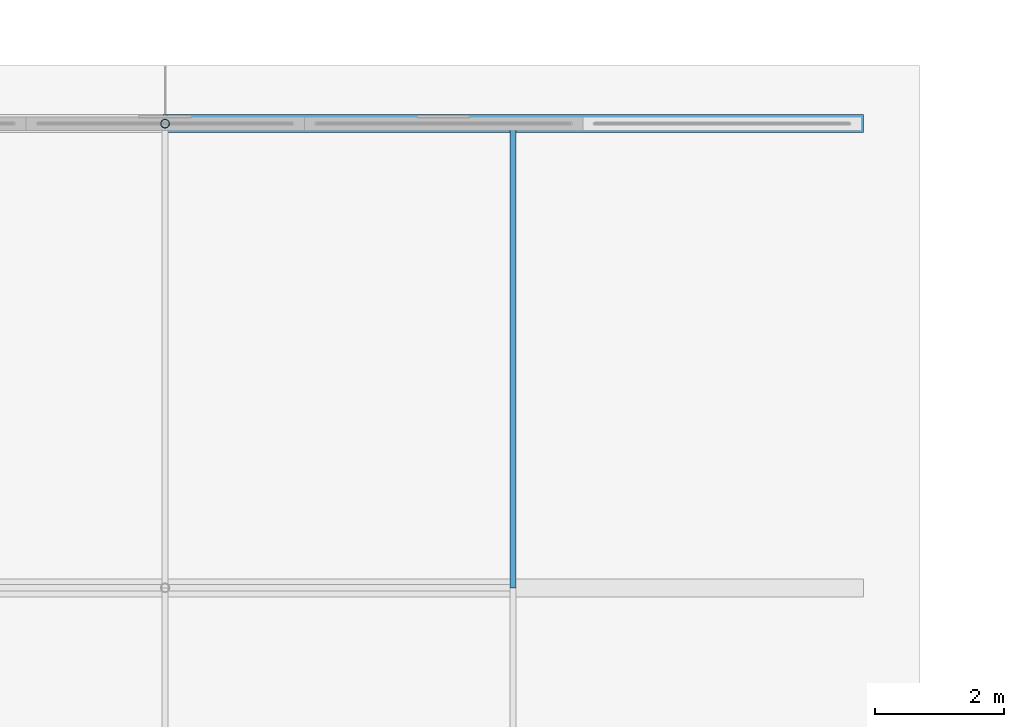
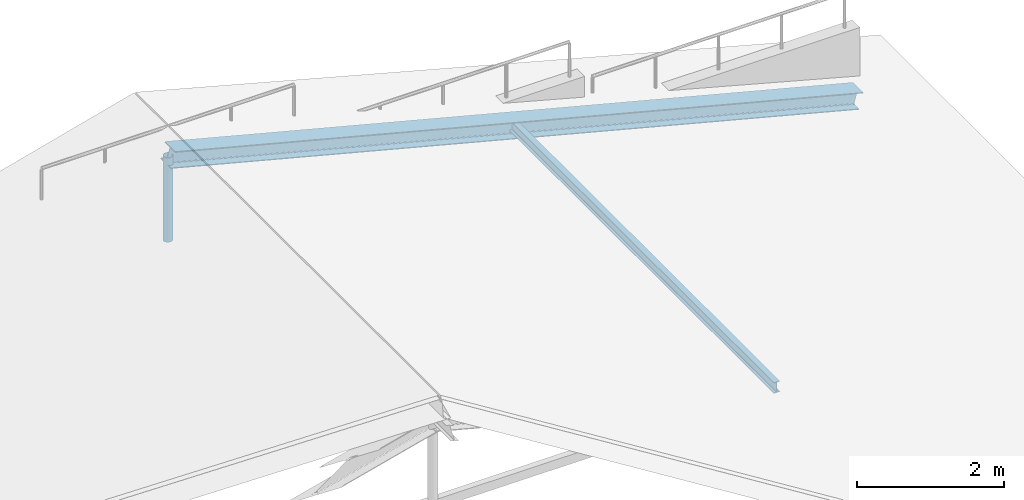
# One storey, part 18 of 65: 3 members.
"""IFC4 building model written with IfcOpenShell, lengths in metres."""

from ifc_helpers import new_model, si_unit, direction, frame, origin, origin_2d, place, context, subcontext, project, spatial, hollow_circle, i_section, extrude, material, material_profile, profile_set, type_object, element, save


model = new_model("IFC4")

# Units and contexts
model_context = context("Model", 3, precision=1e-05, world=origin(), true_north=direction((0.0, 1.0)))
body_context = subcontext(model_context, "Body", "Model", "MODEL_VIEW")
ifc_project = project(units=[si_unit("LENGTHUNIT", "METRE"), si_unit("AREAUNIT", "SQUARE_METRE"), si_unit("VOLUMEUNIT", "CUBIC_METRE"), si_unit("PLANEANGLEUNIT", "RADIAN"), si_unit("MASSUNIT", "GRAM", prefix="KILO"), si_unit("THERMODYNAMICTEMPERATUREUNIT", "KELVIN"), si_unit("POWERUNIT", "WATT")], contexts=[model_context])

# Site, building, storey
site_placement = place(None, origin())
site = spatial("IfcSite", under=ifc_project, at=site_placement, CompositionType="ELEMENT")
building_placement = place(site_placement, origin())
building = spatial("IfcBuilding", under=site, at=building_placement, Name="Tavuni Mirador Residences", CompositionType="ELEMENT")
storey_placement = place(building_placement, frame((0.0, 0.0, 29.699951171875)))
storey = spatial("IfcBuildingStorey", under=building, at=storey_placement, Name="L09", CompositionType="ELEMENT", Elevation=29.699951171875)

# Members
ifc_material = material(Name="Structural steel S355", Category="steel")
ifc_material_profile_1 = material_profile(ifc_material, hollow_circle(Radius=0.06982421875, WallThickness=0.008056640625, at=origin_2d()), Name="CHS 139.7x8.0", Category="steel")
ifc_profile_set_1 = profile_set([ifc_material_profile_1], Name="Structural steel S355")
member_type_1 = type_object("IfcMemberType", Name="MT-BR-CHS139", PredefinedType="BRACE", material=ifc_profile_set_1)
member_1_placement = place(storey_placement, frame((14.39990234375, 93.60009765625, 1.050048828125), z_axis=(0.0, 0.0, 1.0), x_axis=(1.0, 0.0, 0.0)))
element("IfcMember", 1, at=member_1_placement, inside=storey, type_object=member_type_1, Name="RKP-BLK-B-04", PredefinedType="BRACE", context=body_context, shape_type="SweptSolid", body=[
    extrude(hollow_circle(Radius=0.06982421875, WallThickness=0.008056640625, at=origin_2d()), origin(), (0.0, 0.0, 1.0), 1.39990234375),
])
ifc_material_profile_2 = material_profile(ifc_material, i_section(OverallWidth=0.280029296875, OverallDepth=0.27001953125, WebThickness=0.008056640625, FlangeThickness=0.012939453125, FilletRadius=0.02392578125, at=origin_2d()), Name="HEA 280", Category="steel")
ifc_profile_set_2 = profile_set([ifc_material_profile_2], Name="Structural steel S355")
member_type_2 = type_object("IfcMemberType", Name="MT-CH-HEA280", PredefinedType="CHORD", material=ifc_profile_set_2)
member_2_placement = place(storey_placement, frame((14.39990234375, 93.60009765625, 2.449951171875), z_axis=(0.968001426323, 0.0, -0.250944692386), x_axis=(0.0, 1.0, 0.0)))
element("IfcMember", 2, at=member_2_placement, inside=storey, type_object=member_type_2, Name="RAF-BLK-B-04-E", PredefinedType="CHORD", context=body_context, shape_type="SweptSolid", body=[
    extrude(i_section(OverallWidth=0.280029296875, OverallDepth=0.27001953125, WebThickness=0.008056640625, FlangeThickness=0.012939453125, FilletRadius=0.02392578125, at=origin_2d()), origin(), (0.0, 0.0, 1.0), 11.156982421875),
])
ifc_material_profile_3 = material_profile(ifc_material, i_section(OverallWidth=0.091064453125, OverallDepth=0.179931640625, WebThickness=0.00537109375, FlangeThickness=0.008056640625, FilletRadius=0.009033203125, at=origin_2d()), Name="IPE 180", Category="steel")
ifc_profile_set_3 = profile_set([ifc_material_profile_3], Name="Structural steel S355")
member_type_3 = type_object("IfcMemberType", Name="MT-PR-IPE180", PredefinedType="PURLIN", material=ifc_profile_set_3)
member_3_placement = place(storey_placement, frame((19.800048828125, 86.39990234375, 1.074951171875), z_axis=(0.0, 1.0, 0.0), x_axis=(-1.0, 0.0, 0.0)))
element("IfcMember", 3, at=member_3_placement, inside=storey, type_object=member_type_3, Name="RPUR-BLK-B-75-03", PredefinedType="PURLIN", context=body_context, shape_type="SweptSolid", body=[
    extrude(i_section(OverallWidth=0.091064453125, OverallDepth=0.179931640625, WebThickness=0.00537109375, FlangeThickness=0.008056640625, FilletRadius=0.009033203125, at=origin_2d()), origin(), (0.0, 0.0, 1.0), 7.2001953125),
])

save(model, "model.ifc")
